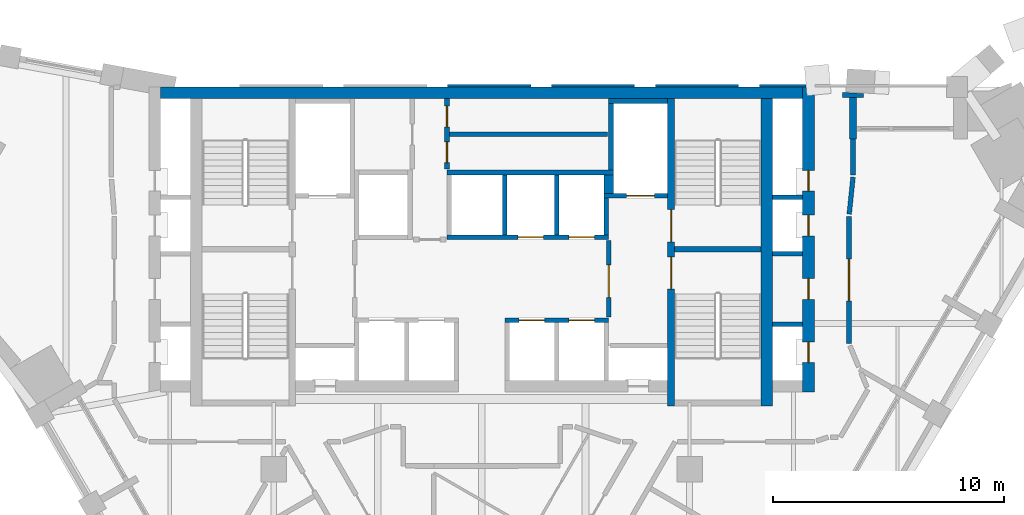
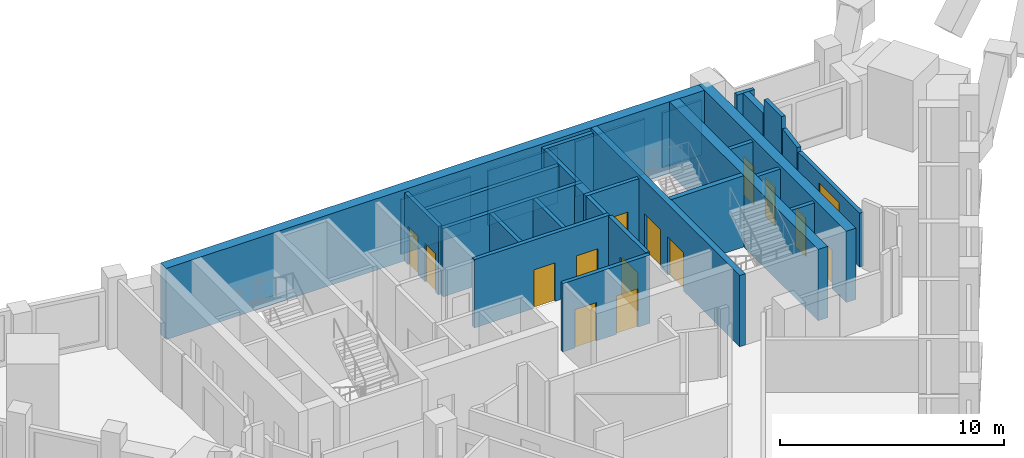
# One storey, part 7 of 9: 30 walls, 15 doors, 15 openings.
"""IFC4 building model written with IfcOpenShell, lengths in metres."""

from ifc_helpers import new_model, si_unit, direction, frame, frame_2d, origin, place, context, subcontext, project, spatial, polyline, rectangle, outline, extrude, material, layer, layer_set, type_object, element, fill, save


model = new_model("IFC4")

# Units and contexts
model_context = context("Model", 3, precision=1e-05, world=origin(), true_north=direction((0.0, 1.0)))
body_context = subcontext(model_context, "Body", "Model", "MODEL_VIEW")
ifc_project = project(units=[si_unit("LENGTHUNIT", "METRE"), si_unit("AREAUNIT", "SQUARE_METRE"), si_unit("VOLUMEUNIT", "CUBIC_METRE"), si_unit("PLANEANGLEUNIT", "RADIAN"), si_unit("MASSUNIT", "GRAM", prefix="KILO")], contexts=[model_context])

# Site, building, storey
site_placement = place(None, origin())
site = spatial("IfcSite", under=ifc_project, at=site_placement, CompositionType="ELEMENT")
building_placement = place(site_placement, origin())
building = spatial("IfcBuilding", under=site, at=building_placement, Name="Calabash Gate Tower", CompositionType="ELEMENT")
storey_placement = place(building_placement, frame((0.0, 0.0, 239.300048828125)))
storey = spatial("IfcBuildingStorey", under=building, at=storey_placement, Name="L57", CompositionType="ELEMENT", Elevation=239.300048828125)

# Walls
ifc_material_1 = material(Name="Terracotta brick masonry, exposed face", Category="masonry")
ifc_layer_1 = layer(ifc_material_1, 0.89990234375)
ifc_layer_set_1 = layer_set([ifc_layer_1], Name="Brick end wall 900")
wall_type_1 = type_object("IfcWallType", Name="Brick end wall 900", PredefinedType="SOLIDWALL", material=ifc_layer_set_1)
wall_1_placement = place(storey_placement, origin())
element("IfcWall", 1, at=wall_1_placement, inside=storey, type_object=wall_type_1, Name="Brick pier S16 N4.1", PredefinedType="SOLIDWALL", context=body_context, shape_type="SweptSolid", body=[
    extrude(outline(polyline([(16.52685546875, 18.768798828125), (15.626953125, 18.8232421875), (15.626953125, 18.6025390625), (16.52685546875, 18.6025390625), (16.52685546875, 18.768798828125)])), origin(), (0.0, 0.0, 1.0), 3.0),
])
ifc_material_2 = material(Name="Terracotta brick masonry, exposed face", Category="masonry")
ifc_layer_2 = layer(ifc_material_2, 0.300048828125)
ifc_layer_set_2 = layer_set([ifc_layer_2], Name="Brick loggia cheek wall 300")
wall_type_2 = type_object("IfcWallType", Name="Brick loggia cheek wall 300", PredefinedType="SOLIDWALL", material=ifc_layer_set_2)
wall_2_placement = place(storey_placement, origin())
element("IfcWall", 2, at=wall_2_placement, inside=storey, type_object=wall_type_2, Name="Loggia cheek S16 N4.1", PredefinedType="SOLIDWALL", context=body_context, shape_type="SweptSolid", body=[
    extrude(outline(polyline([(15.927001953125, 18.6025390625), (15.927001953125, 16.802490234375), (16.22705078125, 16.802490234375), (16.22705078125, 18.6025390625), (15.927001953125, 18.6025390625)])), origin(), (0.0, 0.0, 1.0), 3.0),
])
ifc_material_3 = material(Name="Concrete C70/85", Category="concrete")
ifc_layer_3 = layer(ifc_material_3, 0.25)
ifc_layer_set_3 = layer_set([ifc_layer_3], Name="Core wall 250 Concrete C70/85")
wall_type_3 = type_object("IfcWallType", Name="Core wall 250 Concrete C70/85", PredefinedType="SHEAR", material=ifc_layer_set_3)
wall_3_placement = place(storey_placement, frame((8.35009765625, 12.027587890625, 0.0), z_axis=(0.0, 0.0, 1.0), x_axis=(1.0, 0.0, 0.0)))
element("IfcWall", 3, at=wall_3_placement, inside=storey, type_object=wall_type_3, Name="Core wall Z4-MIDE L57", PredefinedType="SHEAR", context=body_context, shape_type="SweptSolid", body=[
    extrude(rectangle(XDim=3.75, YDim=0.25, at=frame_2d((1.875, 0.0))), origin(), (0.0, 0.0, 1.0), 3.89990234375),
])

# Wall, openings, doors
ifc_material_4 = material(Name="Concrete C70/85", Category="concrete")
ifc_layer_4 = layer(ifc_material_4, 0.300048828125)
ifc_layer_set_4 = layer_set([ifc_layer_4], Name="Core wall 300 Concrete C70/85")
wall_type_4 = type_object("IfcWallType", Name="Core wall 300 Concrete C70/85", PredefinedType="SHEAR", material=ifc_layer_set_4)
wall_4_placement = place(storey_placement, frame((8.199951171875, 5.252685546875, 0.0), z_axis=(0.0, 0.0, 1.0), x_axis=(0.0, 1.0, 0.0)))
wall_4 = element("IfcWall", 4, at=wall_4_placement, inside=storey, type_object=wall_type_4, Name="Core wall Z4-PARTE L57", PredefinedType="SHEAR", context=body_context, shape_type="SweptSolid", body=[
    extrude(rectangle(XDim=13.2998046875, YDim=0.300048828125, at=frame_2d((6.64990234375, 0.0))), origin(), (0.0, 0.0, 1.0), 3.89990234375),
])
opening_1_placement = place(wall_4_placement, frame((7.10009765625, 0.0, 0.0)))
opening_1 = element("IfcOpeningElement", 5, at=opening_1_placement, cuts=wall_4, Name="Opening O8-019", PredefinedType="OPENING", context=body_context, shape_type="SweptSolid", body=[
    extrude(rectangle(XDim=1.39990234375, YDim=2.10009765625, at=frame_2d((0.699951171875, 1.050048828125))), frame((0.0, 0.159912109375, 0.0), z_axis=(0.0, -1.0, 0.0), x_axis=(1.0, 0.0, 0.0)), (0.0, 0.0, 1.0), 0.320068359375),
])
opening_2_placement = place(wall_4_placement, frame((5.050048828125, 0.0, 0.0)))
opening_2 = element("IfcOpeningElement", 6, at=opening_2_placement, cuts=wall_4, Name="Opening O8-020", PredefinedType="OPENING", context=body_context, shape_type="SweptSolid", body=[
    extrude(rectangle(XDim=1.39990234375, YDim=2.10009765625, at=frame_2d((0.699951171875, 1.050048828125))), frame((0.0, 0.159912109375, 0.0), z_axis=(0.0, -1.0, 0.0), x_axis=(1.0, 0.0, 0.0)), (0.0, 0.0, 1.0), 0.320068359375),
])
ifc_material_5 = material(Name="Steel fire door set with fire-resisting glazing", Category="steel")
door_type_1 = type_object("IfcDoorType", Name="Fire door D05 1400x2100 FD90", OperationType="NOTDEFINED", PredefinedType="DOOR", material=ifc_material_5)
door_1_placement = place(opening_1_placement, origin())
door_1 = element("IfcDoor", 7, at=door_1_placement, inside=storey, type_object=door_type_1, Name="Exit stair door ST3", OperationType="SINGLE_SWING_RIGHT", OverallHeight=2.10009765625, OverallWidth=1.39990234375, PredefinedType="DOOR", context=body_context, shape_type="SweptSolid", body=[
    extrude(rectangle(XDim=1.39990234375, YDim=2.10009765625, at=frame_2d((0.699951171875, 1.050048828125))), frame((0.0, 0.02490234375, 0.0), z_axis=(0.0, -1.0, 0.0), x_axis=(1.0, 0.0, 0.0)), (0.0, 0.0, 1.0), 0.050048828125),
])
fill(opening_1, door_1)
door_2_placement = place(opening_2_placement, origin())
door_2 = element("IfcDoor", 8, at=door_2_placement, inside=storey, type_object=door_type_1, Name="Exit stair door ST4", OperationType="SINGLE_SWING_LEFT", OverallHeight=2.10009765625, OverallWidth=1.39990234375, PredefinedType="DOOR", context=body_context, shape_type="SweptSolid", body=[
    extrude(rectangle(XDim=1.39990234375, YDim=2.10009765625, at=frame_2d((0.699951171875, 1.050048828125))), frame((0.0, 0.02490234375, 0.0), z_axis=(0.0, -1.0, 0.0), x_axis=(1.0, 0.0, 0.0)), (0.0, 0.0, 1.0), 0.050048828125),
])
fill(opening_2, door_2)

# Walls
ifc_material_6 = material(Name="Concrete C70/85", Category="concrete")
ifc_layer_5 = layer(ifc_material_6, 0.5)
ifc_layer_set_5 = layer_set([ifc_layer_5], Name="Core wall 500 Concrete C70/85")
wall_type_5 = type_object("IfcWallType", Name="Core wall 500 Concrete C70/85", PredefinedType="SHEAR", material=ifc_layer_set_5)
wall_5_placement = place(storey_placement, frame((-13.89990234375, 18.802490234375, 0.0), z_axis=(0.0, 0.0, 1.0), x_axis=(1.0, 0.0, 0.0)))
element("IfcWall", 9, at=wall_5_placement, inside=storey, type_object=wall_type_5, Name="Core wall Z4-N L57", PredefinedType="SHEAR", context=body_context, shape_type="SweptSolid", body=[
    extrude(rectangle(XDim=27.7998046875, YDim=0.5, at=frame_2d((13.89990234375, 0.0))), origin(), (0.0, 0.0, 1.0), 3.89990234375),
])
wall_6_placement = place(storey_placement, frame((12.35009765625, 5.252685546875, 0.0), z_axis=(0.0, 0.0, 1.0), x_axis=(0.0, 1.0, 0.0)))
element("IfcWall", 10, at=wall_6_placement, inside=storey, type_object=wall_type_5, Name="Core wall Z4-COLE L57", PredefinedType="SHEAR", context=body_context, shape_type="SweptSolid", body=[
    extrude(rectangle(XDim=13.2998046875, YDim=0.5, at=frame_2d((6.64990234375, 0.0))), origin(), (0.0, 0.0, 1.0), 3.89990234375),
])

# Wall, openings, doors
wall_7_placement = place(storey_placement, frame((14.14990234375, 5.8525390625, 0.0), z_axis=(0.0, 0.0, 1.0), x_axis=(0.0, 1.0, 0.0)))
wall_7 = element("IfcWall", 11, at=wall_7_placement, inside=storey, type_object=wall_type_5, Name="Core wall Z4-ENDE L57", PredefinedType="SHEAR", context=body_context, shape_type="SweptSolid", body=[
    extrude(rectangle(XDim=13.199951171875, YDim=0.5, at=frame_2d((6.60009765625, 0.0))), origin(), (0.0, 0.0, 1.0), 3.89990234375),
])
opening_3_placement = place(wall_7_placement, frame((1.27001953125, 0.0, 0.0)))
opening_3 = element("IfcOpeningElement", 12, at=opening_3_placement, cuts=wall_7, Name="Opening O8-001", PredefinedType="OPENING", context=body_context, shape_type="SweptSolid", body=[
    extrude(rectangle(XDim=0.89990234375, YDim=2.10009765625, at=frame_2d((0.449951171875, 1.050048828125))), frame((0.0, 0.260009765625, 0.0), z_axis=(0.0, -1.0, 0.0), x_axis=(1.0, 0.0, 0.0)), (0.0, 0.0, 1.0), 0.52001953125),
])
opening_4_placement = place(wall_7_placement, frame((4.014892578125, 0.0, 0.0)))
opening_4 = element("IfcOpeningElement", 13, at=opening_4_placement, cuts=wall_7, Name="Opening O8-002", PredefinedType="OPENING", context=body_context, shape_type="SweptSolid", body=[
    extrude(rectangle(XDim=0.89990234375, YDim=2.10009765625, at=frame_2d((0.449951171875, 1.050048828125))), frame((0.0, 0.260009765625, 0.0), z_axis=(0.0, -1.0, 0.0), x_axis=(1.0, 0.0, 0.0)), (0.0, 0.0, 1.0), 0.52001953125),
])
opening_5_placement = place(wall_7_placement, frame((6.760009765625, 0.0, 0.0)))
opening_5 = element("IfcOpeningElement", 14, at=opening_5_placement, cuts=wall_7, Name="Opening O8-003", PredefinedType="OPENING", context=body_context, shape_type="SweptSolid", body=[
    extrude(rectangle(XDim=0.89990234375, YDim=2.10009765625, at=frame_2d((0.449951171875, 1.050048828125))), frame((0.0, 0.260009765625, 0.0), z_axis=(0.0, -1.0, 0.0), x_axis=(1.0, 0.0, 0.0)), (0.0, 0.0, 1.0), 0.52001953125),
])
opening_6_placement = place(wall_7_placement, frame((8.697509765625, 0.0, 0.0)))
opening_6 = element("IfcOpeningElement", 15, at=opening_6_placement, cuts=wall_7, Name="Opening O8-004", PredefinedType="OPENING", context=body_context, shape_type="SweptSolid", body=[
    extrude(rectangle(XDim=0.89990234375, YDim=2.10009765625, at=frame_2d((0.449951171875, 1.050048828125))), frame((0.0, 0.260009765625, 0.0), z_axis=(0.0, -1.0, 0.0), x_axis=(1.0, 0.0, 0.0)), (0.0, 0.0, 1.0), 0.52001953125),
])
ifc_material_7 = material(Name="Steel fire door set with fire-resisting glazing", Category="steel")
door_type_2 = type_object("IfcDoorType", Name="Fire door D06 900x2100 FD60", OperationType="NOTDEFINED", PredefinedType="DOOR", material=ifc_material_7)
door_3_placement = place(opening_3_placement, origin())
door_3 = element("IfcDoor", 16, at=door_3_placement, inside=storey, type_object=door_type_2, Name="Comms Riser door", OperationType="SINGLE_SWING_LEFT", OverallHeight=2.10009765625, OverallWidth=0.89990234375, PredefinedType="DOOR", context=body_context, shape_type="SweptSolid", body=[
    extrude(rectangle(XDim=0.89990234375, YDim=2.10009765625, at=frame_2d((0.449951171875, 1.050048828125))), frame((0.0, 0.02490234375, 0.0), z_axis=(0.0, -1.0, 0.0), x_axis=(1.0, 0.0, 0.0)), (0.0, 0.0, 1.0), 0.050048828125),
])
fill(opening_3, door_3)
door_4_placement = place(opening_4_placement, origin())
door_4 = element("IfcDoor", 17, at=door_4_placement, inside=storey, type_object=door_type_2, Name="Cleaner's Store door", OperationType="SINGLE_SWING_RIGHT", OverallHeight=2.10009765625, OverallWidth=0.89990234375, PredefinedType="DOOR", context=body_context, shape_type="SweptSolid", body=[
    extrude(rectangle(XDim=0.89990234375, YDim=2.10009765625, at=frame_2d((0.449951171875, 1.050048828125))), frame((0.0, 0.02490234375, 0.0), z_axis=(0.0, -1.0, 0.0), x_axis=(1.0, 0.0, 0.0)), (0.0, 0.0, 1.0), 0.050048828125),
])
fill(opening_4, door_4)
door_5_placement = place(opening_5_placement, origin())
door_5 = element("IfcDoor", 18, at=door_5_placement, inside=storey, type_object=door_type_2, Name="Duct Riser door", OperationType="SINGLE_SWING_LEFT", OverallHeight=2.10009765625, OverallWidth=0.89990234375, PredefinedType="DOOR", context=body_context, shape_type="SweptSolid", body=[
    extrude(rectangle(XDim=0.89990234375, YDim=2.10009765625, at=frame_2d((0.449951171875, 1.050048828125))), frame((0.0, 0.02490234375, 0.0), z_axis=(0.0, -1.0, 0.0), x_axis=(1.0, 0.0, 0.0)), (0.0, 0.0, 1.0), 0.050048828125),
])
fill(opening_5, door_5)
door_6_placement = place(opening_6_placement, origin())
door_6 = element("IfcDoor", 19, at=door_6_placement, inside=storey, type_object=door_type_2, Name="Electrical Riser door", OperationType="SINGLE_SWING_LEFT", OverallHeight=2.10009765625, OverallWidth=0.89990234375, PredefinedType="DOOR", context=body_context, shape_type="SweptSolid", body=[
    extrude(rectangle(XDim=0.89990234375, YDim=2.10009765625, at=frame_2d((0.449951171875, 1.050048828125))), frame((0.0, 0.02490234375, 0.0), z_axis=(0.0, -1.0, 0.0), x_axis=(1.0, 0.0, 0.0)), (0.0, 0.0, 1.0), 0.050048828125),
])
fill(opening_6, door_6)

# Wall, opening, door
ifc_material_8 = material(Name="Gypsum board on steel studs, mineral wool", Category="steel")
ifc_layer_6 = layer(ifc_material_8, 0.199951171875)
ifc_layer_set_6 = layer_set([ifc_layer_6], Name="Partition 200 gypsum board EI 60")
wall_type_6 = type_object("IfcWallType", Name="Partition 200 gypsum board EI 60", PredefinedType="PARTITIONING", material=ifc_layer_set_6)
wall_8_placement = place(storey_placement, frame((15.900390625, 7.95263671875, 0.0), z_axis=(0.0, 0.0, 1.0), x_axis=(0.0, 1.0, 0.0)))
wall_8 = element("IfcWall", 20, at=wall_8_placement, inside=storey, type_object=wall_type_6, Name="Partition", PredefinedType="PARTITIONING", context=body_context, shape_type="SweptSolid", body=[
    extrude(rectangle(XDim=5.499755859375, YDim=0.199951171875, at=frame_2d((2.75, 0.0))), origin(), (0.0, 0.0, 1.0), 2.949951171875),
])
opening_7_placement = place(wall_8_placement, frame((1.849853515625, 0.0, 0.0)))
opening_7 = element("IfcOpeningElement", 21, at=opening_7_placement, cuts=wall_8, Name="Opening 55-57-009", PredefinedType="OPENING", context=body_context, shape_type="SweptSolid", body=[
    extrude(rectangle(XDim=1.800048828125, YDim=2.39990234375, at=frame_2d((0.89990234375, 1.199951171875))), frame((0.0, 0.10986328125, 0.0), z_axis=(0.0, -1.0, 0.0), x_axis=(1.0, 0.0, 0.0)), (0.0, 0.0, 1.0), 0.219970703125),
])
ifc_material_9 = material(Name="Steel fire door set with fire-resisting glazing", Category="steel")
door_type_3 = type_object("IfcDoorType", Name="OD5 Open office double door 1800x2400", OperationType="NOTDEFINED", PredefinedType="DOOR", material=ifc_material_9)
door_7_placement = place(opening_7_placement, origin())
door_7 = element("IfcDoor", 22, at=door_7_placement, inside=storey, type_object=door_type_3, Name="Open office double door", OperationType="DOUBLE_DOOR_SINGLE_SWING", OverallHeight=2.39990234375, OverallWidth=1.800048828125, PredefinedType="DOOR", context=body_context, shape_type="SweptSolid", body=[
    extrude(rectangle(XDim=1.800048828125, YDim=2.39990234375, at=frame_2d((0.89990234375, 1.199951171875))), frame((0.0, 0.02490234375, 0.0), z_axis=(0.0, -1.0, 0.0), x_axis=(1.0, 0.0, 0.0)), (0.0, 0.0, 1.0), 0.050048828125),
])
fill(opening_7, door_7)

# Walls
wall_9_placement = place(storey_placement, frame((15.910888671875, 13.552001953125, 0.0), z_axis=(0.0, 0.0, 1.0), x_axis=(0.103468505511, 0.994632730392, 0.0)))
element("IfcWall", 23, at=wall_9_placement, inside=storey, type_object=wall_type_6, Name="Partition", PredefinedType="PARTITIONING", context=body_context, shape_type="SweptSolid", body=[
    extrude(rectangle(XDim=1.609130859375, YDim=0.199951171875, at=frame_2d((0.8046875, 0.0))), origin(), (0.0, 0.0, 1.0), 3.1279296875),
])
wall_10_placement = place(storey_placement, frame((16.077392578125, 15.25244140625, 0.0), z_axis=(0.0, 0.0, 1.0), x_axis=(0.0, 1.0, 0.0)))
element("IfcWall", 24, at=wall_10_placement, inside=storey, type_object=wall_type_6, Name="Partition", PredefinedType="PARTITIONING", context=body_context, shape_type="SweptSolid", body=[
    extrude(rectangle(XDim=1.550048828125, YDim=0.199951171875, at=frame_2d((0.77490234375, 0.0))), origin(), (0.0, 0.0, 1.0), 3.72998046875),
])
ifc_material_10 = material(Name="Concrete C40/50", Category="concrete")
ifc_layer_7 = layer(ifc_material_10, 0.199951171875)
ifc_layer_set_7 = layer_set([ifc_layer_7], Name="Shaft wall 200 Concrete C40/50")
wall_type_7 = type_object("IfcWallType", Name="Shaft wall 200 Concrete C40/50", PredefinedType="SOLIDWALL", material=ifc_layer_set_7)
wall_11_placement = place(storey_placement, frame((12.60009765625, 8.79248046875, 0.0), z_axis=(0.0, 0.0, 1.0), x_axis=(1.0, 0.0, 0.0)))
element("IfcWall", 25, at=wall_11_placement, inside=storey, type_object=wall_type_7, Name="Shaft wall", PredefinedType="SOLIDWALL", context=body_context, shape_type="SweptSolid", body=[
    extrude(rectangle(XDim=1.2998046875, YDim=0.199951171875, at=frame_2d((0.64990234375, 0.0))), origin(), (0.0, 0.0, 1.0), 3.72998046875),
])

# Wall, openings, doors
wall_12_placement = place(storey_placement, frame((1.0, 8.95263671875, 0.0), z_axis=(0.0, 0.0, 1.0), x_axis=(1.0, 0.0, 0.0)))
wall_12 = element("IfcWall", 26, at=wall_12_placement, inside=storey, type_object=wall_type_7, Name="Shaft wall", PredefinedType="SOLIDWALL", context=body_context, shape_type="SweptSolid", body=[
    extrude(rectangle(XDim=4.5, YDim=0.199951171875, at=frame_2d((2.25, 0.0))), origin(), (0.0, 0.0, 1.0), 3.72998046875),
])
opening_8_placement = place(wall_12_placement, frame((0.625, 0.0, 0.0)))
opening_8 = element("IfcOpeningElement", 27, at=opening_8_placement, cuts=wall_12, Name="Opening LD-HR3", PredefinedType="OPENING", context=body_context, shape_type="SweptSolid", body=[
    extrude(rectangle(XDim=1.10009765625, YDim=2.10009765625, at=frame_2d((0.550048828125, 1.050048828125))), frame((0.0, 0.10986328125, 0.0), z_axis=(0.0, -1.0, 0.0), x_axis=(1.0, 0.0, 0.0)), (0.0, 0.0, 1.0), 0.219970703125),
])
opening_9_placement = place(wall_12_placement, frame((2.77490234375, 0.0, 0.0)))
opening_9 = element("IfcOpeningElement", 28, at=opening_9_placement, cuts=wall_12, Name="Opening LD-HR4", PredefinedType="OPENING", context=body_context, shape_type="SweptSolid", body=[
    extrude(rectangle(XDim=1.10009765625, YDim=2.10009765625, at=frame_2d((0.550048828125, 1.050048828125))), frame((0.0, 0.10986328125, 0.0), z_axis=(0.0, -1.0, 0.0), x_axis=(1.0, 0.0, 0.0)), (0.0, 0.0, 1.0), 0.219970703125),
])
ifc_material_11 = material(Name="Stainless steel sliding door leaves", Category="steel")
door_type_4 = type_object("IfcDoorType", Name="Lift landing door LS1 1100x2100 FD90", OperationType="DOUBLE_DOOR_SLIDING", PredefinedType="DOOR", material=ifc_material_11)
door_8_placement = place(opening_8_placement, origin())
door_8 = element("IfcDoor", 29, at=door_8_placement, inside=storey, type_object=door_type_4, Name="Lift landing door HR3", OperationType="DOUBLE_DOOR_SLIDING", OverallHeight=2.10009765625, OverallWidth=1.10009765625, PredefinedType="DOOR", context=body_context, shape_type="SweptSolid", body=[
    extrude(rectangle(XDim=1.10009765625, YDim=2.10009765625, at=frame_2d((0.550048828125, 1.050048828125))), frame((0.0, 0.02490234375, 0.0), z_axis=(0.0, -1.0, 0.0), x_axis=(1.0, 0.0, 0.0)), (0.0, 0.0, 1.0), 0.050048828125),
])
fill(opening_8, door_8)
door_9_placement = place(opening_9_placement, origin())
door_9 = element("IfcDoor", 30, at=door_9_placement, inside=storey, type_object=door_type_4, Name="Lift landing door HR4", OperationType="DOUBLE_DOOR_SLIDING", OverallHeight=2.10009765625, OverallWidth=1.10009765625, PredefinedType="DOOR", context=body_context, shape_type="SweptSolid", body=[
    extrude(rectangle(XDim=1.10009765625, YDim=2.10009765625, at=frame_2d((0.550048828125, 1.050048828125))), frame((0.0, 0.02490234375, 0.0), z_axis=(0.0, -1.0, 0.0), x_axis=(1.0, 0.0, 0.0)), (0.0, 0.0, 1.0), 0.050048828125),
])
fill(opening_9, door_9)

# Wall, opening, door
wall_13_placement = place(storey_placement, frame((5.5, 9.1025390625, 0.0), z_axis=(0.0, 0.0, 1.0), x_axis=(0.0, 1.0, 0.0)))
wall_13 = element("IfcWall", 31, at=wall_13_placement, inside=storey, type_object=wall_type_7, Name="Shaft wall", PredefinedType="SOLIDWALL", context=body_context, shape_type="SweptSolid", body=[
    extrude(rectangle(XDim=3.300048828125, YDim=0.199951171875, at=frame_2d((1.64990234375, 0.0))), origin(), (0.0, 0.0, 1.0), 3.72998046875),
])
opening_10_placement = place(wall_13_placement, frame((0.85009765625, 0.0, 0.0)))
opening_10 = element("IfcOpeningElement", 32, at=opening_10_placement, cuts=wall_13, Name="Opening O8-010", PredefinedType="OPENING", context=body_context, shape_type="SweptSolid", body=[
    extrude(rectangle(XDim=1.39990234375, YDim=2.10009765625, at=frame_2d((0.699951171875, 1.050048828125))), frame((0.0, 0.10986328125, 0.0), z_axis=(0.0, -1.0, 0.0), x_axis=(1.0, 0.0, 0.0)), (0.0, 0.0, 1.0), 0.219970703125),
])
door_10_placement = place(opening_10_placement, origin())
door_10 = element("IfcDoor", 33, at=door_10_placement, inside=storey, type_object=door_type_1, Name="Firefighting Lobby E door", OperationType="SINGLE_SWING_LEFT", OverallHeight=2.10009765625, OverallWidth=1.39990234375, PredefinedType="DOOR", context=body_context, shape_type="SweptSolid", body=[
    extrude(rectangle(XDim=1.39990234375, YDim=2.10009765625, at=frame_2d((0.699951171875, 1.050048828125))), frame((0.0, 0.02490234375, 0.0), z_axis=(0.0, -1.0, 0.0), x_axis=(1.0, 0.0, 0.0)), (0.0, 0.0, 1.0), 0.050048828125),
])
fill(opening_10, door_10)

# Wall
wall_14_placement = place(storey_placement, frame((12.60009765625, 11.842529296875, 0.0), z_axis=(0.0, 0.0, 1.0), x_axis=(1.0, 0.0, 0.0)))
element("IfcWall", 34, at=wall_14_placement, inside=storey, type_object=wall_type_7, Name="Shaft wall", PredefinedType="SOLIDWALL", context=body_context, shape_type="SweptSolid", body=[
    extrude(rectangle(XDim=1.2998046875, YDim=0.199951171875, at=frame_2d((0.64990234375, 0.0))), origin(), (0.0, 0.0, 1.0), 3.72998046875),
])

# Wall, openings, doors
wall_15_placement = place(storey_placement, frame((-1.5, 12.552490234375, 0.0), z_axis=(0.0, 0.0, 1.0), x_axis=(1.0, 0.0, 0.0)))
wall_15 = element("IfcWall", 35, at=wall_15_placement, inside=storey, type_object=wall_type_7, Name="Shaft wall", PredefinedType="SOLIDWALL", context=body_context, shape_type="SweptSolid", body=[
    extrude(rectangle(XDim=7.0, YDim=0.199951171875, at=frame_2d((3.5, 0.0))), origin(), (0.0, 0.0, 1.0), 3.72998046875),
])
opening_11_placement = place(wall_15_placement, frame((3.074951171875, 0.0, 0.0)))
opening_11 = element("IfcOpeningElement", 36, at=opening_11_placement, cuts=wall_15, Name="Opening LD-HR5", PredefinedType="OPENING", context=body_context, shape_type="SweptSolid", body=[
    extrude(rectangle(XDim=1.10009765625, YDim=2.10009765625, at=frame_2d((0.550048828125, 1.050048828125))), frame((0.0, 0.10986328125, 0.0), z_axis=(0.0, -1.0, 0.0), x_axis=(1.0, 0.0, 0.0)), (0.0, 0.0, 1.0), 0.219970703125),
])
opening_12_placement = place(wall_15_placement, frame((5.27490234375, 0.0, 0.0)))
opening_12 = element("IfcOpeningElement", 37, at=opening_12_placement, cuts=wall_15, Name="Opening LD-HR6", PredefinedType="OPENING", context=body_context, shape_type="SweptSolid", body=[
    extrude(rectangle(XDim=1.10009765625, YDim=2.10009765625, at=frame_2d((0.550048828125, 1.050048828125))), frame((0.0, 0.10986328125, 0.0), z_axis=(0.0, -1.0, 0.0), x_axis=(1.0, 0.0, 0.0)), (0.0, 0.0, 1.0), 0.219970703125),
])
door_11_placement = place(opening_11_placement, origin())
door_11 = element("IfcDoor", 38, at=door_11_placement, inside=storey, type_object=door_type_4, Name="Lift landing door HR5", OperationType="DOUBLE_DOOR_SLIDING", OverallHeight=2.10009765625, OverallWidth=1.10009765625, PredefinedType="DOOR", context=body_context, shape_type="SweptSolid", body=[
    extrude(rectangle(XDim=1.10009765625, YDim=2.10009765625, at=frame_2d((0.550048828125, 1.050048828125))), frame((0.0, 0.02490234375, 0.0), z_axis=(0.0, -1.0, 0.0), x_axis=(1.0, 0.0, 0.0)), (0.0, 0.0, 1.0), 0.050048828125),
])
fill(opening_11, door_11)
door_12_placement = place(opening_12_placement, origin())
door_12 = element("IfcDoor", 39, at=door_12_placement, inside=storey, type_object=door_type_4, Name="Lift landing door HR6", OperationType="DOUBLE_DOOR_SLIDING", OverallHeight=2.10009765625, OverallWidth=1.10009765625, PredefinedType="DOOR", context=body_context, shape_type="SweptSolid", body=[
    extrude(rectangle(XDim=1.10009765625, YDim=2.10009765625, at=frame_2d((0.550048828125, 1.050048828125))), frame((0.0, 0.02490234375, 0.0), z_axis=(0.0, -1.0, 0.0), x_axis=(1.0, 0.0, 0.0)), (0.0, 0.0, 1.0), 0.050048828125),
])
fill(opening_12, door_12)

# Walls
for number, where, z_axis, x_axis, name in (
    (40, (1.0, 12.652587890625, 0.0), (0.0, 0.0, 1.0), (0.0, 1.0, 0.0), "Shaft wall"),
    (41, (3.25, 12.652587890625, 0.0), (0.0, 0.0, 1.0), (0.0, 1.0, 0.0), "Shaft wall"),
):
    element("IfcWall", number, at=place(storey_placement, frame(where, z_axis=z_axis, x_axis=x_axis)), inside=storey, type_object=wall_type_7, Name=name, PredefinedType="SOLIDWALL", context=body_context, shape_type="SweptSolid", body=[
        extrude(rectangle(XDim=2.60009765625, YDim=0.199951171875, at=frame_2d((1.300048828125, 0.0))), origin(), (0.0, 0.0, 1.0), 3.72998046875),
    ])
wall_16_placement = place(storey_placement, frame((5.39990234375, 12.652587890625, 0.0), z_axis=(0.0, 0.0, 1.0), x_axis=(0.0, 1.0, 0.0)))
element("IfcWall", 42, at=wall_16_placement, inside=storey, type_object=wall_type_7, Name="Shaft wall", PredefinedType="SOLIDWALL", context=body_context, shape_type="SweptSolid", body=[
    extrude(rectangle(XDim=1.60009765625, YDim=0.199951171875, at=frame_2d((0.800048828125, 0.0))), origin(), (0.0, 0.0, 1.0), 3.72998046875),
])
wall_17_placement = place(storey_placement, frame((12.60009765625, 14.28271484375, 0.0), z_axis=(0.0, 0.0, 1.0), x_axis=(1.0, 0.0, 0.0)))
element("IfcWall", 43, at=wall_17_placement, inside=storey, type_object=wall_type_7, Name="Shaft wall", PredefinedType="SOLIDWALL", context=body_context, shape_type="SweptSolid", body=[
    extrude(rectangle(XDim=1.2998046875, YDim=0.199951171875, at=frame_2d((0.64990234375, 0.0))), origin(), (0.0, 0.0, 1.0), 3.72998046875),
])

# Wall, opening, door
wall_18_placement = place(storey_placement, frame((5.300048828125, 14.3525390625, 0.0), z_axis=(0.0, 0.0, 1.0), x_axis=(1.0, 0.0, 0.0)))
wall_18 = element("IfcWall", 44, at=wall_18_placement, inside=storey, type_object=wall_type_7, Name="Shaft wall", PredefinedType="SOLIDWALL", context=body_context, shape_type="SweptSolid", body=[
    extrude(rectangle(XDim=2.75, YDim=0.199951171875, at=frame_2d((1.375, 0.0))), origin(), (0.0, 0.0, 1.0), 3.72998046875),
])
opening_13_placement = place(wall_18_placement, frame((0.97509765625, 0.0, 0.0)))
opening_13 = element("IfcOpeningElement", 45, at=opening_13_placement, cuts=wall_18, Name="Opening LD-FF2", PredefinedType="OPENING", context=body_context, shape_type="SweptSolid", body=[
    extrude(rectangle(XDim=1.199951171875, YDim=2.10009765625, at=frame_2d((0.60009765625, 1.050048828125))), frame((0.0, 0.10986328125, 0.0), z_axis=(0.0, -1.0, 0.0), x_axis=(1.0, 0.0, 0.0)), (0.0, 0.0, 1.0), 0.219970703125),
])
ifc_material_12 = material(Name="Stainless steel sliding door leaves", Category="steel")
door_type_5 = type_object("IfcDoorType", Name="Lift landing door LS3 1200x2100 FD90", OperationType="DOUBLE_DOOR_SLIDING", PredefinedType="DOOR", material=ifc_material_12)
door_13_placement = place(opening_13_placement, origin())
door_13 = element("IfcDoor", 46, at=door_13_placement, inside=storey, type_object=door_type_5, Name="Lift landing door FF2", OperationType="DOUBLE_DOOR_SLIDING", OverallHeight=2.10009765625, OverallWidth=1.199951171875, PredefinedType="DOOR", context=body_context, shape_type="SweptSolid", body=[
    extrude(rectangle(XDim=1.199951171875, YDim=2.10009765625, at=frame_2d((0.60009765625, 1.050048828125))), frame((0.0, 0.02490234375, 0.0), z_axis=(0.0, -1.0, 0.0), x_axis=(1.0, 0.0, 0.0)), (0.0, 0.0, 1.0), 0.050048828125),
])
fill(opening_13, door_13)

# Walls
wall_19_placement = place(storey_placement, frame((5.5, 14.45263671875, 0.0), z_axis=(0.0, 0.0, 1.0), x_axis=(0.0, 1.0, 0.0)))
element("IfcWall", 47, at=wall_19_placement, inside=storey, type_object=wall_type_7, Name="Shaft wall", PredefinedType="SOLIDWALL", context=body_context, shape_type="SweptSolid", body=[
    extrude(rectangle(XDim=0.800048828125, YDim=0.39990234375, at=frame_2d((0.39990234375, 0.0))), origin(), (0.0, 0.0, 1.0), 3.72998046875),
])
wall_20_placement = place(storey_placement, frame((-1.5, 15.3525390625, 0.0), z_axis=(0.0, 0.0, 1.0), x_axis=(1.0, 0.0, 0.0)))
element("IfcWall", 48, at=wall_20_placement, inside=storey, type_object=wall_type_7, Name="Shaft wall", PredefinedType="SOLIDWALL", context=body_context, shape_type="SweptSolid", body=[
    extrude(rectangle(XDim=7.199951171875, YDim=0.199951171875, at=frame_2d((3.60009765625, 0.0))), origin(), (0.0, 0.0, 1.0), 3.72998046875),
])
wall_21_placement = place(storey_placement, frame((5.60009765625, 15.45263671875, 0.0), z_axis=(0.0, 0.0, 1.0), x_axis=(0.0, 1.0, 0.0)))
element("IfcWall", 49, at=wall_21_placement, inside=storey, type_object=wall_type_7, Name="Shaft wall", PredefinedType="SOLIDWALL", context=body_context, shape_type="SweptSolid", body=[
    extrude(rectangle(XDim=2.89990234375, YDim=0.199951171875, at=frame_2d((1.449951171875, 0.0))), origin(), (0.0, 0.0, 1.0), 3.72998046875),
])

# Wall, openings, doors
wall_22_placement = place(storey_placement, frame((-1.5, 15.502685546875, 0.0), z_axis=(0.0, 0.0, 1.0), x_axis=(0.0, 1.0, 0.0)))
wall_22 = element("IfcWall", 50, at=wall_22_placement, inside=storey, type_object=wall_type_7, Name="Shaft wall", PredefinedType="SOLIDWALL", context=body_context, shape_type="SweptSolid", body=[
    extrude(rectangle(XDim=3.0498046875, YDim=0.199951171875, at=frame_2d((1.52490234375, 0.0))), origin(), (0.0, 0.0, 1.0), 3.72998046875),
])
opening_14_placement = place(wall_22_placement, frame((0.27490234375, 0.0, 0.0)))
opening_14 = element("IfcOpeningElement", 51, at=opening_14_placement, cuts=wall_22, Name="Opening O8-013", PredefinedType="OPENING", context=body_context, shape_type="SweptSolid", body=[
    extrude(rectangle(XDim=0.89990234375, YDim=2.10009765625, at=frame_2d((0.449951171875, 1.050048828125))), frame((0.0, 0.10986328125, 0.0), z_axis=(0.0, -1.0, 0.0), x_axis=(1.0, 0.0, 0.0)), (0.0, 0.0, 1.0), 0.219970703125),
])
opening_15_placement = place(wall_22_placement, frame((1.824951171875, 0.0, 0.0)))
opening_15 = element("IfcOpeningElement", 52, at=opening_15_placement, cuts=wall_22, Name="Opening O8-014", PredefinedType="OPENING", context=body_context, shape_type="SweptSolid", body=[
    extrude(rectangle(XDim=0.89990234375, YDim=2.10009765625, at=frame_2d((0.449951171875, 1.050048828125))), frame((0.0, 0.10986328125, 0.0), z_axis=(0.0, -1.0, 0.0), x_axis=(1.0, 0.0, 0.0)), (0.0, 0.0, 1.0), 0.219970703125),
])
door_14_placement = place(opening_14_placement, origin())
door_14 = element("IfcDoor", 53, at=door_14_placement, inside=storey, type_object=door_type_2, Name="Tenant Pantry door", OperationType="SINGLE_SWING_LEFT", OverallHeight=2.10009765625, OverallWidth=0.89990234375, PredefinedType="DOOR", context=body_context, shape_type="SweptSolid", body=[
    extrude(rectangle(XDim=0.89990234375, YDim=2.10009765625, at=frame_2d((0.449951171875, 1.050048828125))), frame((0.0, 0.02490234375, 0.0), z_axis=(0.0, -1.0, 0.0), x_axis=(1.0, 0.0, 0.0)), (0.0, 0.0, 1.0), 0.050048828125),
])
fill(opening_14, door_14)
door_15_placement = place(opening_15_placement, origin())
door_15 = element("IfcDoor", 54, at=door_15_placement, inside=storey, type_object=door_type_2, Name="Print Room door", OperationType="SINGLE_SWING_LEFT", OverallHeight=2.10009765625, OverallWidth=0.89990234375, PredefinedType="DOOR", context=body_context, shape_type="SweptSolid", body=[
    extrude(rectangle(XDim=0.89990234375, YDim=2.10009765625, at=frame_2d((0.449951171875, 1.050048828125))), frame((0.0, 0.02490234375, 0.0), z_axis=(0.0, -1.0, 0.0), x_axis=(1.0, 0.0, 0.0)), (0.0, 0.0, 1.0), 0.050048828125),
])
fill(opening_15, door_15)

# Walls
wall_23_placement = place(storey_placement, frame((-1.39990234375, 17.002685546875, 0.0), z_axis=(0.0, 0.0, 1.0), x_axis=(1.0, 0.0, 0.0)))
element("IfcWall", 55, at=wall_23_placement, inside=storey, type_object=wall_type_7, Name="Shaft wall", PredefinedType="SOLIDWALL", context=body_context, shape_type="SweptSolid", body=[
    extrude(rectangle(XDim=6.849853515625, YDim=0.199951171875, at=frame_2d((3.4248046875, 0.0))), origin(), (0.0, 0.0, 1.0), 3.72998046875),
])
wall_24_placement = place(storey_placement, frame((5.5, 18.45263671875, 0.0), z_axis=(0.0, 0.0, 1.0), x_axis=(1.0, 0.0, 0.0)))
element("IfcWall", 56, at=wall_24_placement, inside=storey, type_object=wall_type_7, Name="Shaft wall", PredefinedType="SOLIDWALL", context=body_context, shape_type="SweptSolid", body=[
    extrude(rectangle(XDim=2.550048828125, YDim=0.199951171875, at=frame_2d((1.27490234375, 0.0))), origin(), (0.0, 0.0, 1.0), 3.72998046875),
])
ifc_material_13 = material(Name="Terracotta brick masonry, perforated", Category="masonry")
ifc_layer_8 = layer(ifc_material_13, 0.1201171875)
ifc_layer_set_8 = layer_set([ifc_layer_8], Name="Terracotta jaali cladding B 120")
wall_type_8 = type_object("IfcWallType", Name="Terracotta jaali cladding B 120", PredefinedType="SOLIDWALL", material=ifc_layer_set_8)
wall_25_placement = place(storey_placement, origin())
element("IfcWall", 57, at=wall_25_placement, inside=storey, type_object=wall_type_8, Name="Jaali cladding S16 N4.3", PredefinedType="SOLIDWALL", context=body_context, shape_type="SweptSolid", body=[
    extrude(outline(polyline([(7.52685546875, 19.172607421875), (7.52685546875, 19.052490234375), (11.126953125, 19.052490234375), (11.126953125, 19.172607421875), (7.52685546875, 19.172607421875)])), origin(), (0.0, 0.0, 1.0), 3.0),
])
wall_26_placement = place(storey_placement, origin())
element("IfcWall", 58, at=wall_26_placement, inside=storey, type_object=wall_type_8, Name="Jaali cladding S16 N4.5", PredefinedType="SOLIDWALL", context=body_context, shape_type="SweptSolid", body=[
    extrude(outline(polyline([(-1.47314453125, 19.172607421875), (-1.47314453125, 19.052490234375), (2.126953125, 19.052490234375), (2.126953125, 19.172607421875), (-1.47314453125, 19.172607421875)])), origin(), (0.0, 0.0, 1.0), 3.0),
])
ifc_material_14 = material(Name="Terracotta louvre blades in an aluminium frame", Category="masonry")
ifc_layer_9 = layer(ifc_material_14, 0.1201171875)
ifc_layer_set_9 = layer_set([ifc_layer_9], Name="Terracotta vent louvre cladding 120")
wall_type_9 = type_object("IfcWallType", Name="Terracotta vent louvre cladding 120", PredefinedType="ELEMENTEDWALL", material=ifc_layer_set_9)
wall_27_placement = place(storey_placement, origin())
element("IfcWall", 59, at=wall_27_placement, inside=storey, type_object=wall_type_9, Name="Vent louvre cladding S16 N4.2", PredefinedType="ELEMENTEDWALL", context=body_context, shape_type="SweptSolid", body=[
    extrude(outline(polyline([(14.0439453125, 19.172607421875), (12.02685546875, 19.172607421875), (12.02685546875, 19.052490234375), (14.0439453125, 19.052490234375), (14.0439453125, 19.172607421875)])), origin(), (0.0, 0.0, 1.0), 3.0),
])
wall_28_placement = place(storey_placement, origin())
element("IfcWall", 60, at=wall_28_placement, inside=storey, type_object=wall_type_9, Name="Vent louvre cladding S16 N4.4", PredefinedType="ELEMENTEDWALL", context=body_context, shape_type="SweptSolid", body=[
    extrude(outline(polyline([(3.02685546875, 19.172607421875), (3.02685546875, 19.052490234375), (6.626953125, 19.052490234375), (6.626953125, 19.172607421875), (3.02685546875, 19.172607421875)])), origin(), (0.0, 0.0, 1.0), 3.0),
])

save(model, "model.ifc")
